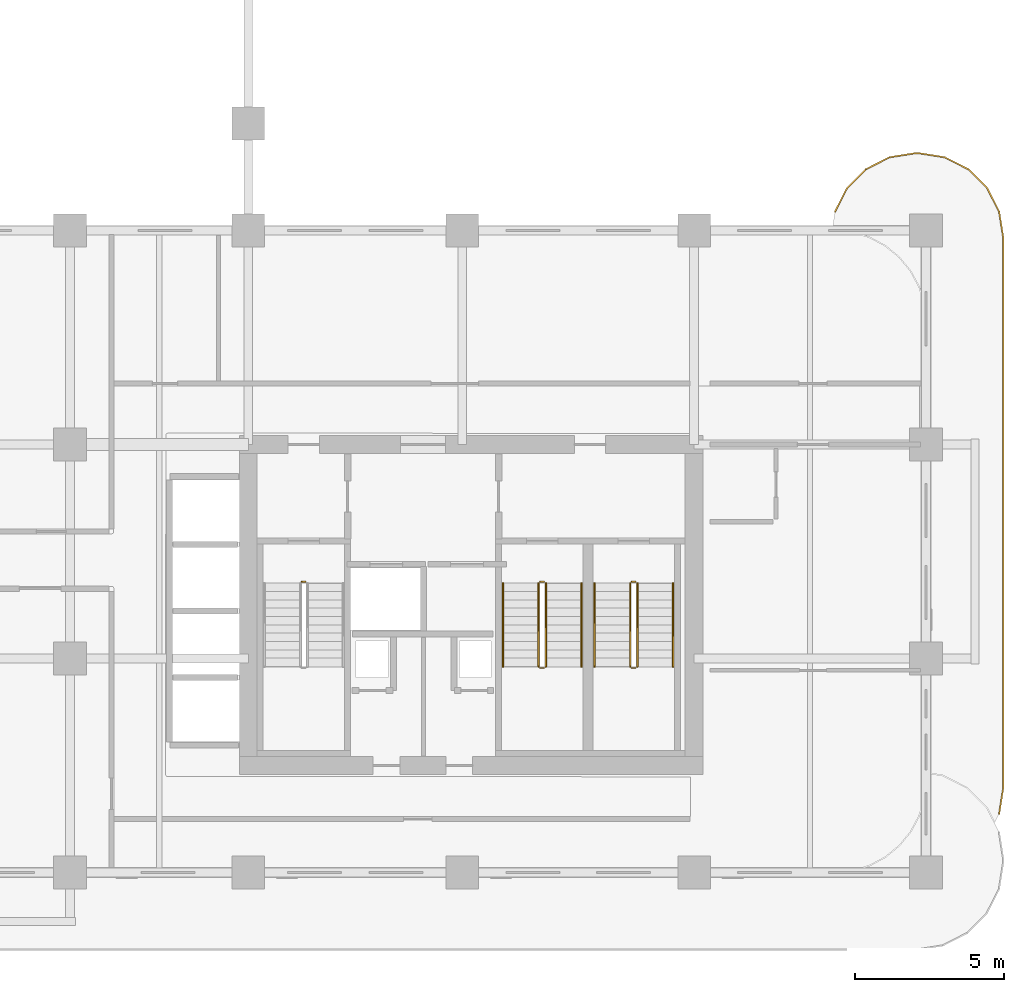
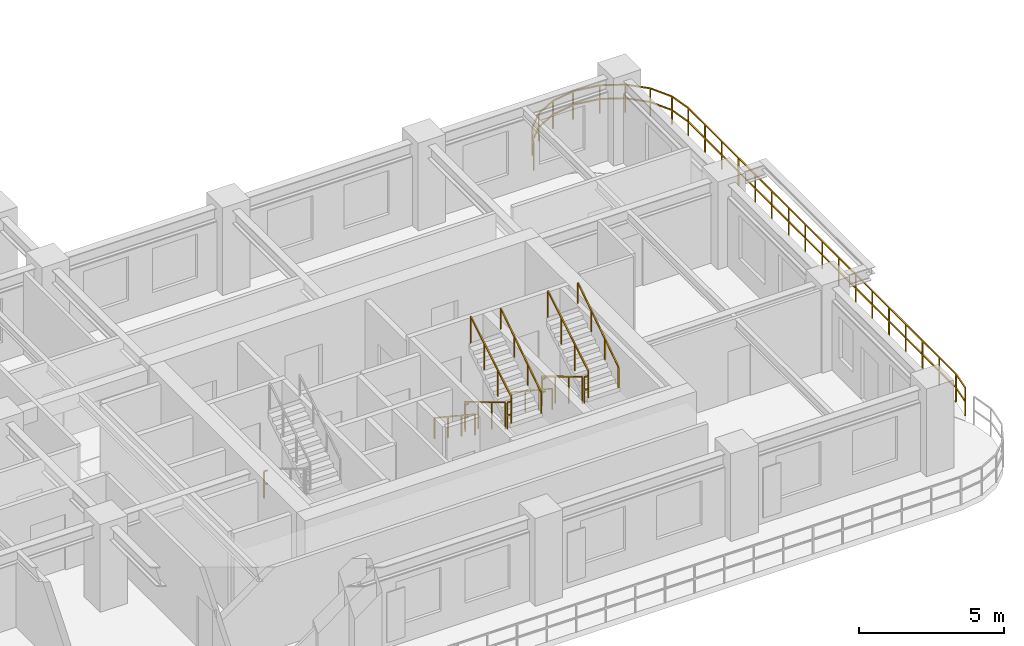
# One storey, part 17 of 19: 14 railings.
"""IFC4 building model written with IfcOpenShell, lengths in metres."""

from ifc_helpers import new_model, si_unit, derived_unit, direction, frame, origin, origin_2d, place, context, subcontext, project, spatial, rectangle, extrude, material, type_object, element, save


model = new_model("IFC4")

# Units and contexts
model_context = context("Model", 3, precision=1e-05, world=origin(), true_north=direction((0.0, 1.0)))
body_context = subcontext(model_context, "Body", "Model", "MODEL_VIEW")
ifc_project = project(units=[si_unit("LENGTHUNIT", "METRE"), si_unit("AREAUNIT", "SQUARE_METRE"), si_unit("VOLUMEUNIT", "CUBIC_METRE"), si_unit("PLANEANGLEUNIT", "RADIAN"), si_unit("MASSUNIT", "GRAM", prefix="KILO"), si_unit("THERMODYNAMICTEMPERATUREUNIT", "KELVIN"), si_unit("POWERUNIT", "WATT"), derived_unit("THERMALTRANSMITTANCEUNIT", [(si_unit("POWERUNIT", "WATT"), 1), (si_unit("AREAUNIT", "SQUARE_METRE"), -1), (si_unit("THERMODYNAMICTEMPERATUREUNIT", "KELVIN"), -1)])], contexts=[model_context])

# Site, building, storey
site_placement = place(None, origin())
site = spatial("IfcSite", under=ifc_project, at=site_placement, CompositionType="ELEMENT")
building_placement = place(site_placement, origin())
building = spatial("IfcBuilding", under=site, at=building_placement, Name="Zahravan Archway Hotel and Residences", CompositionType="ELEMENT")
storey_placement = place(building_placement, frame((0.0, 0.0, 62.0)))
storey = spatial("IfcBuildingStorey", under=building, at=storey_placement, Name="L14", CompositionType="ELEMENT", Elevation=62.0)

# Railings
ifc_material_1 = material(Name="Bronze & Laminated Glass Balustrade", Category="glass")
railing_type_1 = type_object("IfcRailingType", Name="RL-BAL-1200", PredefinedType="BALUSTRADE", material=ifc_material_1)
railing_1_placement = place(storey_placement, frame((54.53955078125, 22.230712890625, 0.0)))
element("IfcRailing", 1, at=railing_1_placement, inside=storey, type_object=railing_type_1, Name="L14 Balustrade RL-SLB-BAL-L14-EA-1", PredefinedType="BALUSTRADE", context=body_context, shape_type="SweptSolid", body=[
    extrude(rectangle(XDim=0.048095703125, YDim=0.048095703125, at=origin_2d()), frame((0.0, 0.0, 1.17578125), z_axis=(0.453991409995, 0.891006060389, 0.0), x_axis=(-0.891006060389, 0.453991409995, 0.0)), (0.0, 0.0, 1.0), 0.8916015625),
    extrude(rectangle(XDim=0.048095703125, YDim=0.048095703125, at=origin_2d()), frame((0.0, 0.0, 0.60009765625), z_axis=(0.453991409995, 0.891006060389, 0.0), x_axis=(-0.891006060389, 0.453991409995, 0.0)), (0.0, 0.0, 1.0), 0.8916015625),
    extrude(rectangle(XDim=0.048095703125, YDim=0.048095703125, at=origin_2d()), frame((0.40478515625, 0.79443359375, 1.17578125), z_axis=(0.706969864397, 0.70724367147, 0.0), x_axis=(-0.70724367147, 0.706969864397, 0.0)), (0.0, 0.0, 1.0), 0.8916015625),
    extrude(rectangle(XDim=0.048095703125, YDim=0.048095703125, at=origin_2d()), frame((0.40478515625, 0.79443359375, 0.60009765625), z_axis=(0.706969864397, 0.70724367147, 0.0), x_axis=(-0.70724367147, 0.706969864397, 0.0)), (0.0, 0.0, 1.0), 0.8916015625),
    extrude(rectangle(XDim=0.048095703125, YDim=0.048095703125, at=origin_2d()), frame((1.03515625, 1.425048828125, 1.17578125), z_axis=(0.891062476022, 0.45388067135, 0.0), x_axis=(-0.45388067135, 0.891062476022, 0.0)), (0.0, 0.0, 1.0), 0.891845703125),
    extrude(rectangle(XDim=0.048095703125, YDim=0.048095703125, at=origin_2d()), frame((1.03515625, 1.425048828125, 0.60009765625), z_axis=(0.891062476022, 0.45388067135, 0.0), x_axis=(-0.45388067135, 0.891062476022, 0.0)), (0.0, 0.0, 1.0), 0.891845703125),
    extrude(rectangle(XDim=0.048095703125, YDim=0.048095703125, at=origin_2d()), frame((1.829833984375, 1.829833984375, 1.17578125), z_axis=(0.987700720307, 0.156356282588, 0.0), x_axis=(-0.156356282588, 0.987700720307, 0.0)), (0.0, 0.0, 1.0), 0.8916015625),
    extrude(rectangle(XDim=0.048095703125, YDim=0.048095703125, at=origin_2d()), frame((1.829833984375, 1.829833984375, 0.60009765625), z_axis=(0.987700720307, 0.156356282588, 0.0), x_axis=(-0.156356282588, 0.987700720307, 0.0)), (0.0, 0.0, 1.0), 0.8916015625),
    extrude(rectangle(XDim=0.048095703125, YDim=0.048095703125, at=origin_2d()), frame((2.71044921875, 1.96923828125, 1.17578125), z_axis=(1.0, 0.0, 0.0), x_axis=(0.0, 1.0, 0.0)), (0.0, 0.0, 1.0), 0.10009765625),
    extrude(rectangle(XDim=0.048095703125, YDim=0.048095703125, at=origin_2d()), frame((2.71044921875, 1.96923828125, 0.60009765625), z_axis=(1.0, 0.0, 0.0), x_axis=(0.0, 1.0, 0.0)), (0.0, 0.0, 1.0), 0.10009765625),
    extrude(rectangle(XDim=0.048095703125, YDim=0.048095703125, at=origin_2d()), frame((2.810546875, 1.96923828125, 1.17578125), z_axis=(0.987700720307, -0.156356282588, 0.0), x_axis=(0.156356282588, 0.987700720307, 0.0)), (0.0, 0.0, 1.0), 0.8916015625),
    extrude(rectangle(XDim=0.048095703125, YDim=0.048095703125, at=origin_2d()), frame((2.810546875, 1.96923828125, 0.60009765625), z_axis=(0.987700720307, -0.156356282588, 0.0), x_axis=(0.156356282588, 0.987700720307, 0.0)), (0.0, 0.0, 1.0), 0.8916015625),
    extrude(rectangle(XDim=0.048095703125, YDim=0.048095703125, at=origin_2d()), frame((3.691162109375, 1.829833984375, 1.17578125), z_axis=(0.891006060389, -0.453991409995, 0.0), x_axis=(0.453991409995, 0.891006060389, 0.0)), (0.0, 0.0, 1.0), 0.8916015625),
    extrude(rectangle(XDim=0.048095703125, YDim=0.048095703125, at=origin_2d()), frame((3.691162109375, 1.829833984375, 0.60009765625), z_axis=(0.891006060389, -0.453991409995, 0.0), x_axis=(0.453991409995, 0.891006060389, 0.0)), (0.0, 0.0, 1.0), 0.8916015625),
    extrude(rectangle(XDim=0.048095703125, YDim=0.048095703125, at=origin_2d()), frame((4.485595703125, 1.425048828125, 1.17578125), z_axis=(0.707106781187, -0.707106781187, 0.0), x_axis=(0.707106781187, 0.707106781187, 0.0)), (0.0, 0.0, 1.0), 0.891845703125),
    extrude(rectangle(XDim=0.048095703125, YDim=0.048095703125, at=origin_2d()), frame((4.485595703125, 1.425048828125, 0.60009765625), z_axis=(0.707106781187, -0.707106781187, 0.0), x_axis=(0.707106781187, 0.707106781187, 0.0)), (0.0, 0.0, 1.0), 0.891845703125),
    extrude(rectangle(XDim=0.048095703125, YDim=0.048095703125, at=origin_2d()), frame((5.1162109375, 0.79443359375, 1.17578125), z_axis=(0.453991409995, -0.891006060389, 0.0), x_axis=(0.891006060389, 0.453991409995, 0.0)), (0.0, 0.0, 1.0), 0.8916015625),
    extrude(rectangle(XDim=0.048095703125, YDim=0.048095703125, at=origin_2d()), frame((5.1162109375, 0.79443359375, 0.60009765625), z_axis=(0.453991409995, -0.891006060389, 0.0), x_axis=(0.891006060389, 0.453991409995, 0.0)), (0.0, 0.0, 1.0), 0.8916015625),
    extrude(rectangle(XDim=0.048095703125, YDim=0.048095703125, at=origin_2d()), frame((5.52099609375, 0.0, 1.17578125), z_axis=(0.156356282588, -0.987700720307, 0.0), x_axis=(0.987700720307, 0.156356282588, 0.0)), (0.0, 0.0, 1.0), 0.8916015625),
    extrude(rectangle(XDim=0.048095703125, YDim=0.048095703125, at=origin_2d()), frame((5.52099609375, 0.0, 0.60009765625), z_axis=(0.156356282588, -0.987700720307, 0.0), x_axis=(0.987700720307, 0.156356282588, 0.0)), (0.0, 0.0, 1.0), 0.8916015625),
    extrude(rectangle(XDim=0.048095703125, YDim=0.048095703125, at=origin_2d()), frame((5.660400390625, -0.880615234375, 1.17578125), z_axis=(0.0, -1.0, 0.0), x_axis=(1.0, 0.0, 0.0)), (0.0, 0.0, 1.0), 18.5),
    extrude(rectangle(XDim=0.048095703125, YDim=0.048095703125, at=origin_2d()), frame((5.660400390625, -0.880615234375, 0.60009765625), z_axis=(0.0, -1.0, 0.0), x_axis=(1.0, 0.0, 0.0)), (0.0, 0.0, 1.0), 18.5),
    extrude(rectangle(XDim=0.048095703125, YDim=0.048095703125, at=origin_2d()), frame((5.660400390625, -19.380615234375, 1.17578125), z_axis=(-0.156314005608, -0.987707411965, 0.0), x_axis=(0.987707411965, -0.156314005608, 0.0)), (0.0, 0.0, 1.0), 0.891845703125),
    extrude(rectangle(XDim=0.048095703125, YDim=0.048095703125, at=origin_2d()), frame((5.660400390625, -19.380615234375, 0.60009765625), z_axis=(-0.156314005608, -0.987707411965, 0.0), x_axis=(0.987707411965, -0.156314005608, 0.0)), (0.0, 0.0, 1.0), 0.891845703125),
    extrude(rectangle(XDim=0.0419921875, YDim=0.0419921875, at=origin_2d()), origin(), (0.0, 0.0, 1.0), 1.15185546875),
    extrude(rectangle(XDim=0.0419921875, YDim=0.0419921875, at=origin_2d()), frame((0.40478515625, 0.79443359375, 0.0)), (0.0, 0.0, 1.0), 1.15185546875),
    extrude(rectangle(XDim=0.0419921875, YDim=0.0419921875, at=origin_2d()), frame((1.03515625, 1.425048828125, 0.0)), (0.0, 0.0, 1.0), 1.15185546875),
    extrude(rectangle(XDim=0.0419921875, YDim=0.0419921875, at=origin_2d()), frame((1.829833984375, 1.829833984375, 0.0)), (0.0, 0.0, 1.0), 1.15185546875),
    extrude(rectangle(XDim=0.0419921875, YDim=0.0419921875, at=origin_2d()), frame((2.71044921875, 1.96923828125, 0.0)), (0.0, 0.0, 1.0), 1.15185546875),
    extrude(rectangle(XDim=0.0419921875, YDim=0.0419921875, at=origin_2d()), frame((3.691162109375, 1.829833984375, 0.0)), (0.0, 0.0, 1.0), 1.15185546875),
    extrude(rectangle(XDim=0.0419921875, YDim=0.0419921875, at=origin_2d()), frame((4.485595703125, 1.425048828125, 0.0)), (0.0, 0.0, 1.0), 1.15185546875),
    extrude(rectangle(XDim=0.0419921875, YDim=0.0419921875, at=origin_2d()), frame((5.1162109375, 0.79443359375, 0.0)), (0.0, 0.0, 1.0), 1.15185546875),
    extrude(rectangle(XDim=0.0419921875, YDim=0.0419921875, at=origin_2d()), frame((5.52099609375, 0.0, 0.0)), (0.0, 0.0, 1.0), 1.15185546875),
    extrude(rectangle(XDim=0.0419921875, YDim=0.0419921875, at=origin_2d()), frame((5.660400390625, -0.880615234375, 0.0)), (0.0, 0.0, 1.0), 1.15185546875),
    extrude(rectangle(XDim=0.0419921875, YDim=0.0419921875, at=origin_2d()), frame((5.660400390625, -2.036865234375, 0.0)), (0.0, 0.0, 1.0), 1.15185546875),
    extrude(rectangle(XDim=0.0419921875, YDim=0.0419921875, at=origin_2d()), frame((5.660400390625, -3.193115234375, 0.0)), (0.0, 0.0, 1.0), 1.15185546875),
    extrude(rectangle(XDim=0.0419921875, YDim=0.0419921875, at=origin_2d()), frame((5.660400390625, -4.349365234375, 0.0)), (0.0, 0.0, 1.0), 1.15185546875),
    extrude(rectangle(XDim=0.0419921875, YDim=0.0419921875, at=origin_2d()), frame((5.660400390625, -5.505615234375, 0.0)), (0.0, 0.0, 1.0), 1.15185546875),
    extrude(rectangle(XDim=0.0419921875, YDim=0.0419921875, at=origin_2d()), frame((5.660400390625, -6.661865234375, 0.0)), (0.0, 0.0, 1.0), 1.15185546875),
    extrude(rectangle(XDim=0.0419921875, YDim=0.0419921875, at=origin_2d()), frame((5.660400390625, -7.818115234375, 0.0)), (0.0, 0.0, 1.0), 1.15185546875),
    extrude(rectangle(XDim=0.0419921875, YDim=0.0419921875, at=origin_2d()), frame((5.660400390625, -8.974365234375, 0.0)), (0.0, 0.0, 1.0), 1.15185546875),
    extrude(rectangle(XDim=0.0419921875, YDim=0.0419921875, at=origin_2d()), frame((5.660400390625, -10.130615234375, 0.0)), (0.0, 0.0, 1.0), 1.15185546875),
    extrude(rectangle(XDim=0.0419921875, YDim=0.0419921875, at=origin_2d()), frame((5.660400390625, -11.286865234375, 0.0)), (0.0, 0.0, 1.0), 1.15185546875),
    extrude(rectangle(XDim=0.0419921875, YDim=0.0419921875, at=origin_2d()), frame((5.660400390625, -12.443115234375, 0.0)), (0.0, 0.0, 1.0), 1.15185546875),
    extrude(rectangle(XDim=0.0419921875, YDim=0.0419921875, at=origin_2d()), frame((5.660400390625, -13.599365234375, 0.0)), (0.0, 0.0, 1.0), 1.15185546875),
    extrude(rectangle(XDim=0.0419921875, YDim=0.0419921875, at=origin_2d()), frame((5.660400390625, -14.755615234375, 0.0)), (0.0, 0.0, 1.0), 1.15185546875),
    extrude(rectangle(XDim=0.0419921875, YDim=0.0419921875, at=origin_2d()), frame((5.660400390625, -15.911865234375, 0.0)), (0.0, 0.0, 1.0), 1.15185546875),
    extrude(rectangle(XDim=0.0419921875, YDim=0.0419921875, at=origin_2d()), frame((5.660400390625, -17.068115234375, 0.0)), (0.0, 0.0, 1.0), 1.15185546875),
    extrude(rectangle(XDim=0.0419921875, YDim=0.0419921875, at=origin_2d()), frame((5.660400390625, -18.224365234375, 0.0)), (0.0, 0.0, 1.0), 1.15185546875),
    extrude(rectangle(XDim=0.0419921875, YDim=0.0419921875, at=origin_2d()), frame((5.660400390625, -19.380615234375, 0.0)), (0.0, 0.0, 1.0), 1.15185546875),
    extrude(rectangle(XDim=0.0419921875, YDim=0.0419921875, at=origin_2d()), frame((5.52099609375, -20.261474609375, 0.0)), (0.0, 0.0, 1.0), 1.15185546875),
])
ifc_material_2 = material(Name="Painted Tubular Steel", Category="steel")
railing_type_2 = type_object("IfcRailingType", Name="RL-STG-1150", PredefinedType="GUARDRAIL", material=ifc_material_2)
railing_2_placement = place(storey_placement, frame((36.60009765625, 9.780029296875, 0.0)))
element("IfcRailing", 2, at=railing_2_placement, inside=storey, type_object=railing_type_2, Name="L14 ST-A1 stair guard 4", PredefinedType="GUARDRAIL", context=body_context, shape_type="SweptSolid", body=[
    extrude(rectangle(XDim=0.048095703125, YDim=0.048095703125, at=origin_2d()), frame((0.0, 0.0, 1.1259765625), z_axis=(1.0, 0.0, 0.0), x_axis=(0.0, 1.0, 0.0)), (0.0, 0.0, 1.0), 0.139892578125),
    extrude(rectangle(XDim=0.048095703125, YDim=0.048095703125, at=origin_2d()), frame((0.0, 0.0, 0.574951171875), z_axis=(1.0, 0.0, 0.0), x_axis=(0.0, 1.0, 0.0)), (0.0, 0.0, 1.0), 0.139892578125),
    extrude(rectangle(XDim=0.0419921875, YDim=0.0419921875, at=origin_2d()), origin(), (0.0, 0.0, 1.0), 1.101806640625),
])
railing_3_placement = place(storey_placement, frame((44.570068359375, 9.72998046875, 0.168212890625)))
element("IfcRailing", 3, at=railing_3_placement, inside=storey, type_object=railing_type_2, Name="L14 ST-A2 stair guard 1", PredefinedType="GUARDRAIL", context=body_context, shape_type="SweptSolid", body=[
    extrude(rectangle(XDim=0.048095703125, YDim=0.048095703125, at=origin_2d()), frame((0.0, 0.0, 1.1259765625), z_axis=(0.0, -0.857242210791, 0.514913383045), x_axis=(1.0, 0.0, 0.0)), (0.0, 0.0, 1.0), 3.266357421875),
    extrude(rectangle(XDim=0.0419921875, YDim=0.0419921875, at=origin_2d()), origin(), (0.0, 0.0, 1.0), 1.101806640625),
    extrude(rectangle(XDim=0.0419921875, YDim=0.0419921875, at=origin_2d()), frame((0.0, -0.933349609375, 0.560546875)), (0.0, 0.0, 1.0), 1.101806640625),
    extrude(rectangle(XDim=0.0419921875, YDim=0.0419921875, at=origin_2d()), frame((0.0, -1.86669921875, 1.121337890625)), (0.0, 0.0, 1.0), 1.101806640625),
    extrude(rectangle(XDim=0.0419921875, YDim=0.0419921875, at=origin_2d()), frame((0.0, -2.800048828125, 1.681884765625)), (0.0, 0.0, 1.0), 1.101806640625),
])
railing_4_placement = place(storey_placement, frame((44.6201171875, 6.8798828125, 1.85009765625)))
element("IfcRailing", 4, at=railing_4_placement, inside=storey, type_object=railing_type_2, Name="L14 ST-A2 stair guard 2", PredefinedType="GUARDRAIL", context=body_context, shape_type="SweptSolid", body=[
    extrude(rectangle(XDim=0.048095703125, YDim=0.048095703125, at=origin_2d()), frame((0.0, 0.0, 1.1259765625), z_axis=(1.0, 0.0, 0.0), x_axis=(0.0, 1.0, 0.0)), (0.0, 0.0, 1.0), 0.139892578125),
    extrude(rectangle(XDim=0.048095703125, YDim=0.048095703125, at=origin_2d()), frame((0.0, 0.0, 0.574951171875), z_axis=(1.0, 0.0, 0.0), x_axis=(0.0, 1.0, 0.0)), (0.0, 0.0, 1.0), 0.139892578125),
    extrude(rectangle(XDim=0.0419921875, YDim=0.0419921875, at=origin_2d()), origin(), (0.0, 0.0, 1.0), 1.101806640625),
])
railing_5_placement = place(storey_placement, frame((44.81005859375, 6.929931640625, 2.01806640625)))
element("IfcRailing", 5, at=railing_5_placement, inside=storey, type_object=railing_type_2, Name="L14 ST-A2 stair guard 3", PredefinedType="GUARDRAIL", context=body_context, shape_type="SweptSolid", body=[
    extrude(rectangle(XDim=0.048095703125, YDim=0.048095703125, at=origin_2d()), frame((0.0, 0.0, 1.1259765625), z_axis=(0.0, 0.857242210791, 0.514913383045), x_axis=(-1.0, 0.0, 0.0)), (0.0, 0.0, 1.0), 3.266357421875),
    extrude(rectangle(XDim=0.0419921875, YDim=0.0419921875, at=origin_2d()), origin(), (0.0, 0.0, 1.0), 1.101806640625),
    extrude(rectangle(XDim=0.0419921875, YDim=0.0419921875, at=origin_2d()), frame((0.0, 0.933349609375, 0.560546875)), (0.0, 0.0, 1.0), 1.101806640625),
    extrude(rectangle(XDim=0.0419921875, YDim=0.0419921875, at=origin_2d()), frame((0.0, 1.86669921875, 1.121337890625)), (0.0, 0.0, 1.0), 1.101806640625),
    extrude(rectangle(XDim=0.0419921875, YDim=0.0419921875, at=origin_2d()), frame((0.0, 2.800048828125, 1.681884765625)), (0.0, 0.0, 1.0), 1.101806640625),
])
railing_6_placement = place(storey_placement, frame((44.6201171875, 9.780029296875, 0.0)))
element("IfcRailing", 6, at=railing_6_placement, inside=storey, type_object=railing_type_2, Name="L14 ST-A2 stair guard 4", PredefinedType="GUARDRAIL", context=body_context, shape_type="SweptSolid", body=[
    extrude(rectangle(XDim=0.048095703125, YDim=0.048095703125, at=origin_2d()), frame((0.0, 0.0, 1.1259765625), z_axis=(1.0, 0.0, 0.0), x_axis=(0.0, 1.0, 0.0)), (0.0, 0.0, 1.0), 0.139892578125),
    extrude(rectangle(XDim=0.048095703125, YDim=0.048095703125, at=origin_2d()), frame((0.0, 0.0, 0.574951171875), z_axis=(1.0, 0.0, 0.0), x_axis=(0.0, 1.0, 0.0)), (0.0, 0.0, 1.0), 0.139892578125),
    extrude(rectangle(XDim=0.0419921875, YDim=0.0419921875, at=origin_2d()), origin(), (0.0, 0.0, 1.0), 1.101806640625),
])
railing_7_placement = place(storey_placement, frame((47.64990234375, 9.72998046875, 0.168212890625)))
element("IfcRailing", 7, at=railing_7_placement, inside=storey, type_object=railing_type_2, Name="L14 ST-A3 stair guard 1", PredefinedType="GUARDRAIL", context=body_context, shape_type="SweptSolid", body=[
    extrude(rectangle(XDim=0.048095703125, YDim=0.048095703125, at=origin_2d()), frame((0.0, 0.0, 1.1259765625), z_axis=(0.0, -0.857242210791, 0.514913383045), x_axis=(1.0, 0.0, 0.0)), (0.0, 0.0, 1.0), 3.266357421875),
    extrude(rectangle(XDim=0.0419921875, YDim=0.0419921875, at=origin_2d()), origin(), (0.0, 0.0, 1.0), 1.101806640625),
    extrude(rectangle(XDim=0.0419921875, YDim=0.0419921875, at=origin_2d()), frame((0.0, -0.933349609375, 0.560546875)), (0.0, 0.0, 1.0), 1.101806640625),
    extrude(rectangle(XDim=0.0419921875, YDim=0.0419921875, at=origin_2d()), frame((0.0, -1.86669921875, 1.121337890625)), (0.0, 0.0, 1.0), 1.101806640625),
    extrude(rectangle(XDim=0.0419921875, YDim=0.0419921875, at=origin_2d()), frame((0.0, -2.800048828125, 1.681884765625)), (0.0, 0.0, 1.0), 1.101806640625),
])
railing_8_placement = place(storey_placement, frame((47.699951171875, 6.8798828125, 1.85009765625)))
element("IfcRailing", 8, at=railing_8_placement, inside=storey, type_object=railing_type_2, Name="L14 ST-A3 stair guard 2", PredefinedType="GUARDRAIL", context=body_context, shape_type="SweptSolid", body=[
    extrude(rectangle(XDim=0.048095703125, YDim=0.048095703125, at=origin_2d()), frame((0.0, 0.0, 1.1259765625), z_axis=(1.0, 0.0, 0.0), x_axis=(0.0, 1.0, 0.0)), (0.0, 0.0, 1.0), 0.14013671875),
    extrude(rectangle(XDim=0.048095703125, YDim=0.048095703125, at=origin_2d()), frame((0.0, 0.0, 0.574951171875), z_axis=(1.0, 0.0, 0.0), x_axis=(0.0, 1.0, 0.0)), (0.0, 0.0, 1.0), 0.14013671875),
    extrude(rectangle(XDim=0.0419921875, YDim=0.0419921875, at=origin_2d()), origin(), (0.0, 0.0, 1.0), 1.101806640625),
])
railing_9_placement = place(storey_placement, frame((47.889892578125, 6.929931640625, 2.01806640625)))
element("IfcRailing", 9, at=railing_9_placement, inside=storey, type_object=railing_type_2, Name="L14 ST-A3 stair guard 3", PredefinedType="GUARDRAIL", context=body_context, shape_type="SweptSolid", body=[
    extrude(rectangle(XDim=0.048095703125, YDim=0.048095703125, at=origin_2d()), frame((0.0, 0.0, 1.1259765625), z_axis=(0.0, 0.857242210791, 0.514913383045), x_axis=(-1.0, 0.0, 0.0)), (0.0, 0.0, 1.0), 3.266357421875),
    extrude(rectangle(XDim=0.0419921875, YDim=0.0419921875, at=origin_2d()), origin(), (0.0, 0.0, 1.0), 1.101806640625),
    extrude(rectangle(XDim=0.0419921875, YDim=0.0419921875, at=origin_2d()), frame((0.0, 0.933349609375, 0.560546875)), (0.0, 0.0, 1.0), 1.101806640625),
    extrude(rectangle(XDim=0.0419921875, YDim=0.0419921875, at=origin_2d()), frame((0.0, 1.86669921875, 1.121337890625)), (0.0, 0.0, 1.0), 1.101806640625),
    extrude(rectangle(XDim=0.0419921875, YDim=0.0419921875, at=origin_2d()), frame((0.0, 2.800048828125, 1.681884765625)), (0.0, 0.0, 1.0), 1.101806640625),
])
railing_10_placement = place(storey_placement, frame((47.699951171875, 9.780029296875, 0.0)))
element("IfcRailing", 10, at=railing_10_placement, inside=storey, type_object=railing_type_2, Name="L14 ST-A3 stair guard 4", PredefinedType="GUARDRAIL", context=body_context, shape_type="SweptSolid", body=[
    extrude(rectangle(XDim=0.048095703125, YDim=0.048095703125, at=origin_2d()), frame((0.0, 0.0, 1.1259765625), z_axis=(1.0, 0.0, 0.0), x_axis=(0.0, 1.0, 0.0)), (0.0, 0.0, 1.0), 0.14013671875),
    extrude(rectangle(XDim=0.048095703125, YDim=0.048095703125, at=origin_2d()), frame((0.0, 0.0, 0.574951171875), z_axis=(1.0, 0.0, 0.0), x_axis=(0.0, 1.0, 0.0)), (0.0, 0.0, 1.0), 0.14013671875),
    extrude(rectangle(XDim=0.0419921875, YDim=0.0419921875, at=origin_2d()), origin(), (0.0, 0.0, 1.0), 1.101806640625),
])
ifc_material_3 = material(Name="Brushed Stainless Steel", Category="steel")
railing_type_3 = type_object("IfcRailingType", Name="RL-STH-900", PredefinedType="HANDRAIL", material=ifc_material_3)
railing_11_placement = place(storey_placement, frame((43.3701171875, 9.72998046875, 0.168212890625)))
element("IfcRailing", 11, at=railing_11_placement, inside=storey, type_object=railing_type_3, Name="L14 ST-A2 stair handrail 1", PredefinedType="HANDRAIL", context=body_context, shape_type="SweptSolid", body=[
    extrude(rectangle(XDim=0.048095703125, YDim=0.048095703125, at=origin_2d()), frame((0.0, 0.0, 0.8759765625), z_axis=(0.0, -0.83435981716, 0.551220187865), x_axis=(1.0, 0.0, 0.0)), (0.0, 0.0, 1.0), 3.35595703125),
    extrude(rectangle(XDim=0.0419921875, YDim=0.0419921875, at=origin_2d()), origin(), (0.0, 0.0, 1.0), 0.851806640625),
    extrude(rectangle(XDim=0.0419921875, YDim=0.0419921875, at=origin_2d()), frame((0.0, -0.933349609375, 0.61669921875)), (0.0, 0.0, 1.0), 0.851806640625),
    extrude(rectangle(XDim=0.0419921875, YDim=0.0419921875, at=origin_2d()), frame((0.0, -1.86669921875, 1.233154296875)), (0.0, 0.0, 1.0), 0.851806640625),
    extrude(rectangle(XDim=0.0419921875, YDim=0.0419921875, at=origin_2d()), frame((0.0, -2.800048828125, 1.849853515625)), (0.0, 0.0, 1.0), 0.851806640625),
])
railing_12_placement = place(storey_placement, frame((46.010009765625, 6.929931640625, 2.01806640625)))
element("IfcRailing", 12, at=railing_12_placement, inside=storey, type_object=railing_type_3, Name="L14 ST-A2 stair handrail 2", PredefinedType="HANDRAIL", context=body_context, shape_type="SweptSolid", body=[
    extrude(rectangle(XDim=0.048095703125, YDim=0.048095703125, at=origin_2d()), frame((0.0, 0.0, 0.8759765625), z_axis=(0.0, 0.834326358476, 0.551270829586), x_axis=(-1.0, 0.0, 0.0)), (0.0, 0.0, 1.0), 3.35595703125),
    extrude(rectangle(XDim=0.0419921875, YDim=0.0419921875, at=origin_2d()), origin(), (0.0, 0.0, 1.0), 0.851806640625),
    extrude(rectangle(XDim=0.0419921875, YDim=0.0419921875, at=origin_2d()), frame((0.0, 0.933349609375, 0.61669921875)), (0.0, 0.0, 1.0), 0.851806640625),
    extrude(rectangle(XDim=0.0419921875, YDim=0.0419921875, at=origin_2d()), frame((0.0, 1.86669921875, 1.2333984375)), (0.0, 0.0, 1.0), 0.851806640625),
    extrude(rectangle(XDim=0.0419921875, YDim=0.0419921875, at=origin_2d()), frame((0.0, 2.800048828125, 1.85009765625)), (0.0, 0.0, 1.0), 0.851806640625),
])
railing_13_placement = place(storey_placement, frame((46.449951171875, 9.72998046875, 0.168212890625)))
element("IfcRailing", 13, at=railing_13_placement, inside=storey, type_object=railing_type_3, Name="L14 ST-A3 stair handrail 1", PredefinedType="HANDRAIL", context=body_context, shape_type="SweptSolid", body=[
    extrude(rectangle(XDim=0.048095703125, YDim=0.048095703125, at=origin_2d()), frame((0.0, 0.0, 0.8759765625), z_axis=(0.0, -0.83435981716, 0.551220187865), x_axis=(1.0, 0.0, 0.0)), (0.0, 0.0, 1.0), 3.35595703125),
    extrude(rectangle(XDim=0.0419921875, YDim=0.0419921875, at=origin_2d()), origin(), (0.0, 0.0, 1.0), 0.851806640625),
    extrude(rectangle(XDim=0.0419921875, YDim=0.0419921875, at=origin_2d()), frame((0.0, -0.933349609375, 0.61669921875)), (0.0, 0.0, 1.0), 0.851806640625),
    extrude(rectangle(XDim=0.0419921875, YDim=0.0419921875, at=origin_2d()), frame((0.0, -1.86669921875, 1.233154296875)), (0.0, 0.0, 1.0), 0.851806640625),
    extrude(rectangle(XDim=0.0419921875, YDim=0.0419921875, at=origin_2d()), frame((0.0, -2.800048828125, 1.849853515625)), (0.0, 0.0, 1.0), 0.851806640625),
])
railing_14_placement = place(storey_placement, frame((49.090087890625, 6.929931640625, 2.01806640625)))
element("IfcRailing", 14, at=railing_14_placement, inside=storey, type_object=railing_type_3, Name="L14 ST-A3 stair handrail 2", PredefinedType="HANDRAIL", context=body_context, shape_type="SweptSolid", body=[
    extrude(rectangle(XDim=0.048095703125, YDim=0.048095703125, at=origin_2d()), frame((0.0, 0.0, 0.8759765625), z_axis=(0.0, 0.834326358476, 0.551270829586), x_axis=(-1.0, 0.0, 0.0)), (0.0, 0.0, 1.0), 3.35595703125),
    extrude(rectangle(XDim=0.0419921875, YDim=0.0419921875, at=origin_2d()), origin(), (0.0, 0.0, 1.0), 0.851806640625),
    extrude(rectangle(XDim=0.0419921875, YDim=0.0419921875, at=origin_2d()), frame((0.0, 0.933349609375, 0.61669921875)), (0.0, 0.0, 1.0), 0.851806640625),
    extrude(rectangle(XDim=0.0419921875, YDim=0.0419921875, at=origin_2d()), frame((0.0, 1.86669921875, 1.2333984375)), (0.0, 0.0, 1.0), 0.851806640625),
    extrude(rectangle(XDim=0.0419921875, YDim=0.0419921875, at=origin_2d()), frame((0.0, 2.800048828125, 1.85009765625)), (0.0, 0.0, 1.0), 0.851806640625),
])

save(model, "model.ifc")
